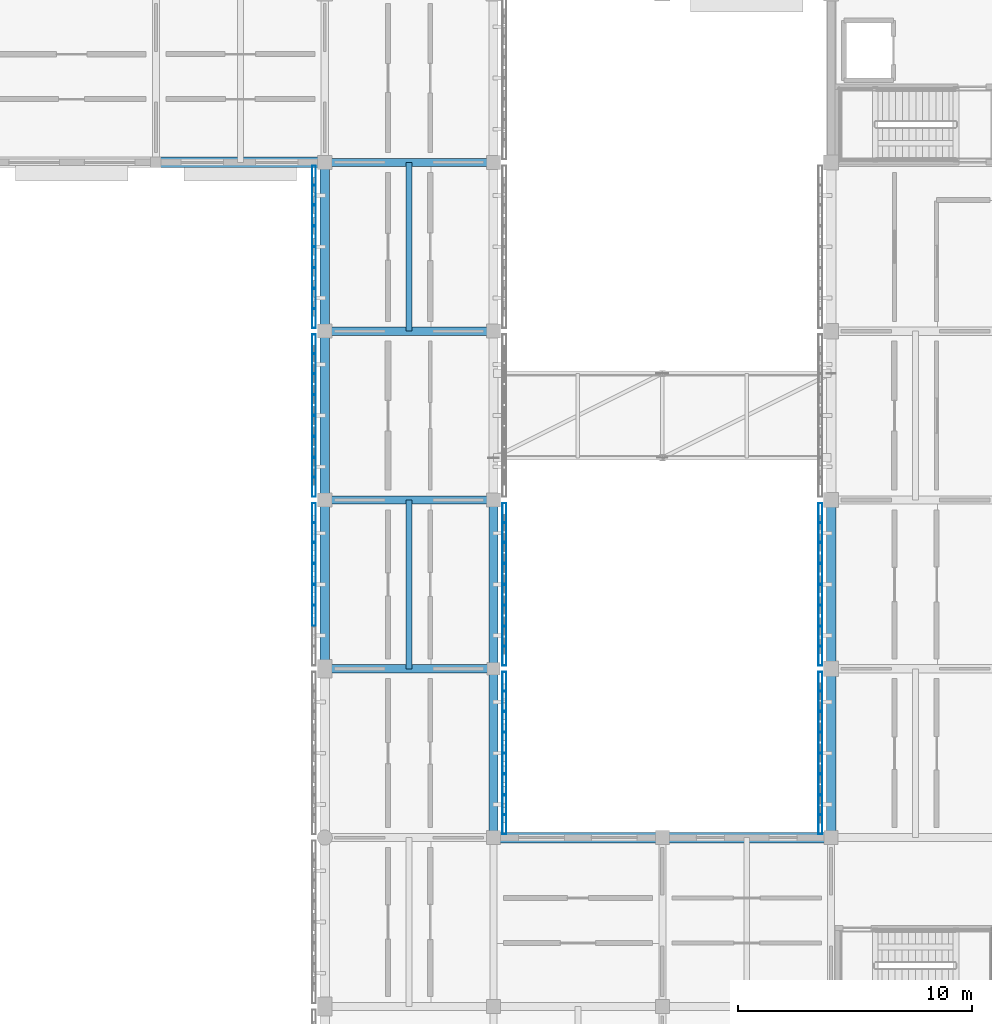
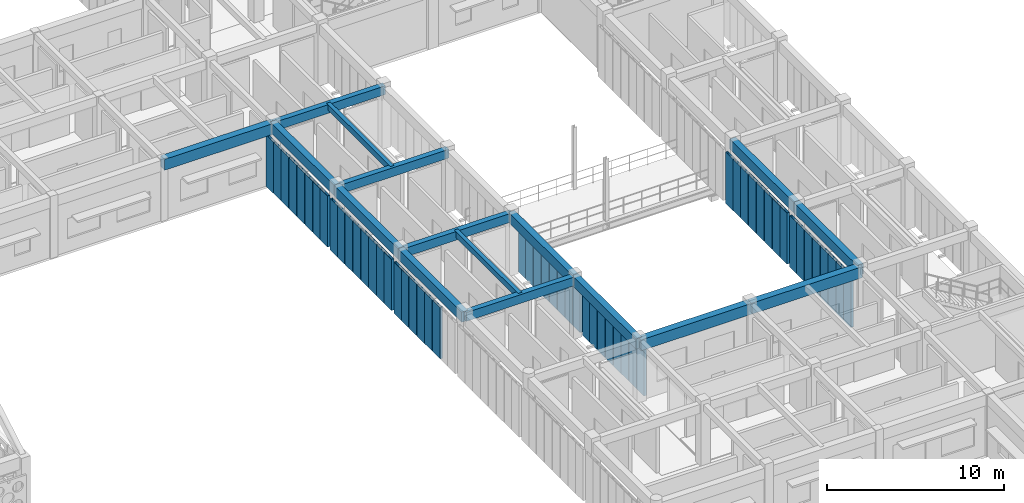
# One storey, part 65 of 171: 54 members, 16 beams, 7 elements without a shape of their own.
"""IFC4 building model written with IfcOpenShell, lengths in metres."""

from ifc_helpers import new_model, si_unit, direction, frame, origin, origin_2d, place, context, subcontext, project, spatial, rectangle, hollow_rectangle, extrude, material, material_profile, profile_set, type_object, element, aggregate, save


model = new_model("IFC4")

# Units and contexts
model_context = context("Model", 3, precision=1e-05, world=origin(), true_north=direction((0.0, 1.0)))
body_context = subcontext(model_context, "Body", "Model", "MODEL_VIEW")
ifc_project = project(units=[si_unit("LENGTHUNIT", "METRE"), si_unit("AREAUNIT", "SQUARE_METRE"), si_unit("VOLUMEUNIT", "CUBIC_METRE"), si_unit("PLANEANGLEUNIT", "RADIAN"), si_unit("MASSUNIT", "GRAM", prefix="KILO")], contexts=[model_context])

# Site, building, storey
site_placement = place(None, origin())
site = spatial("IfcSite", under=ifc_project, at=site_placement, CompositionType="ELEMENT")
building_placement = place(site_placement, origin())
building = spatial("IfcBuilding", under=site, at=building_placement, Name="Aldebral Square Health Centre", CompositionType="ELEMENT")
storey_placement = place(building_placement, frame((0.0, 0.0, 4.5)))
storey = spatial("IfcBuildingStorey", under=building, at=storey_placement, Name="L01", CompositionType="ELEMENT", Elevation=4.5)

# Beams
ifc_material_1 = material(Name="Concrete C40/50", Category="concrete")
ifc_material_profile_1 = material_profile(ifc_material_1, rectangle(XDim=0.35009765625, YDim=0.60009765625, at=origin_2d()), Name="RC 350x600")
ifc_profile_set_1 = profile_set([ifc_material_profile_1], Name="Concrete C40/50")
beam_type_1 = type_object("IfcBeamType", Name="BM-B2", PredefinedType="BEAM", material=ifc_profile_set_1)
for number, where, z_axis, x_axis, name in (
    (1, (136.800048828125, 72.0, 3.919921875), (1.0, 0.0, 0.0), (0.0, 1.0, 0.0), "L01 X-beam 20-21/G11"),
    (2, (136.800048828125, 79.199951171875, 3.919921875), (1.0, 0.0, 0.0), (0.0, 1.0, 0.0), "L01 X-beam 20-21/G12"),
    (3, (136.800048828125, 86.39990234375, 3.919921875), (1.0, 0.0, 0.0), (0.0, 1.0, 0.0), "L01 X-beam 20-21/G13"),
    (4, (136.800048828125, 93.60009765625, 3.919921875), (1.0, 0.0, 0.0), (0.0, 1.0, 0.0), "L01 X-beam 20-21/G14"),
):
    element("IfcBeam", number, at=place(storey_placement, frame(where, z_axis=z_axis, x_axis=x_axis)), inside=storey, type_object=beam_type_1, Name=name, PredefinedType="BEAM", context=body_context, shape_type="SweptSolid", body=[
        extrude(rectangle(XDim=0.35009765625, YDim=0.60009765625, at=origin_2d()), origin(), (0.0, 0.0, 1.0), 7.199951171875),
    ])
ifc_material_profile_2 = material_profile(ifc_material_1, rectangle(XDim=0.25, YDim=0.39990234375, at=origin_2d()), Name="RC 250x400")
ifc_profile_set_2 = profile_set([ifc_material_profile_2], Name="Concrete C40/50")
beam_type_2 = type_object("IfcBeamType", Name="BM-B6", PredefinedType="JOIST", material=ifc_profile_set_2)
beam_1_placement = place(storey_placement, frame((140.39990234375, 72.0, 4.02001953125), z_axis=(0.0, 1.0, 0.0), x_axis=(-1.0, 0.0, 0.0)))
element("IfcBeam", 5, at=beam_1_placement, inside=storey, type_object=beam_type_2, Name="L01 secondary rib 20.11", PredefinedType="JOIST", context=body_context, shape_type="SweptSolid", body=[
    extrude(rectangle(XDim=0.25, YDim=0.39990234375, at=origin_2d()), origin(), (0.0, 0.0, 1.0), 7.199951171875),
])
beam_2_placement = place(storey_placement, frame((140.39990234375, 86.39990234375, 4.02001953125), z_axis=(0.0, 1.0, 0.0), x_axis=(-1.0, 0.0, 0.0)))
element("IfcBeam", 6, at=beam_2_placement, inside=storey, type_object=beam_type_2, Name="L01 secondary rib 20.13", PredefinedType="JOIST", context=body_context, shape_type="SweptSolid", body=[
    extrude(rectangle(XDim=0.25, YDim=0.39990234375, at=origin_2d()), origin(), (0.0, 0.0, 1.0), 7.2001953125),
])
ifc_material_profile_3 = material_profile(ifc_material_1, rectangle(XDim=0.449951171875, YDim=0.75, at=origin_2d()), Name="RC 450x750")
ifc_profile_set_3 = profile_set([ifc_material_profile_3], Name="Concrete C40/50")
beam_type_3 = type_object("IfcBeamType", Name="BM-G2", PredefinedType="T_BEAM", material=ifc_profile_set_3)
for number, where, z_axis, x_axis, name in (
    (7, (129.60009765625, 93.60009765625, 3.844970703125), (1.0, 0.0, 0.0), (0.0, 1.0, 0.0), "L01 X-beam 19-20/G14"),
    (8, (144.0, 64.800048828125, 3.844970703125), (1.0, 0.0, 0.0), (0.0, 1.0, 0.0), "L01 X-beam 21-22/G10"),
    (9, (151.199951171875, 64.800048828125, 3.844970703125), (1.0, 0.0, 0.0), (0.0, 1.0, 0.0), "L01 X-beam 22-23/G10"),
):
    element("IfcBeam", number, at=place(storey_placement, frame(where, z_axis=z_axis, x_axis=x_axis)), inside=storey, type_object=beam_type_3, Name=name, PredefinedType="T_BEAM", context=body_context, shape_type="SweptSolid", body=[
        extrude(rectangle(XDim=0.449951171875, YDim=0.75, at=origin_2d()), origin(), (0.0, 0.0, 1.0), 7.199951171875),
    ])
ifc_material_profile_4 = material_profile(ifc_material_1, rectangle(XDim=0.39990234375, YDim=0.699951171875, at=origin_2d()), Name="RC 400x700")
ifc_profile_set_4 = profile_set([ifc_material_profile_4], Name="Concrete C40/50")
beam_type_4 = type_object("IfcBeamType", Name="BM-G3", PredefinedType="T_BEAM", material=ifc_profile_set_4)
for number, where, z_axis, x_axis, name in (
    (10, (136.800048828125, 72.0, 3.8701171875), (0.0, 1.0, 0.0), (-1.0, 0.0, 0.0), "L01 Y-beam G20/11-12"),
    (11, (136.800048828125, 79.199951171875, 3.8701171875), (0.0, 1.0, 0.0), (-1.0, 0.0, 0.0), "L01 Y-beam G20/12-13"),
):
    element("IfcBeam", number, at=place(storey_placement, frame(where, z_axis=z_axis, x_axis=x_axis)), inside=storey, type_object=beam_type_4, Name=name, PredefinedType="T_BEAM", context=body_context, shape_type="SweptSolid", body=[
        extrude(rectangle(XDim=0.39990234375, YDim=0.699951171875, at=origin_2d()), origin(), (0.0, 0.0, 1.0), 7.199951171875),
    ])
beam_3_placement = place(storey_placement, frame((136.800048828125, 86.39990234375, 3.8701171875), z_axis=(0.0, 1.0, 0.0), x_axis=(-1.0, 0.0, 0.0)))
element("IfcBeam", 12, at=beam_3_placement, inside=storey, type_object=beam_type_4, Name="L01 Y-beam G20/13-14", PredefinedType="T_BEAM", context=body_context, shape_type="SweptSolid", body=[
    extrude(rectangle(XDim=0.39990234375, YDim=0.699951171875, at=origin_2d()), origin(), (0.0, 0.0, 1.0), 7.2001953125),
])
for number, where, z_axis, x_axis, name in (
    (13, (144.0, 64.800048828125, 3.8701171875), (0.0, 1.0, 0.0), (-1.0, 0.0, 0.0), "L01 Y-beam G21/10-11"),
    (14, (144.0, 72.0, 3.8701171875), (0.0, 1.0, 0.0), (-1.0, 0.0, 0.0), "L01 Y-beam G21/11-12"),
    (15, (158.39990234375, 64.800048828125, 3.8701171875), (0.0, 1.0, 0.0), (-1.0, 0.0, 0.0), "L01 Y-beam G23/10-11"),
    (16, (158.39990234375, 72.0, 3.8701171875), (0.0, 1.0, 0.0), (-1.0, 0.0, 0.0), "L01 Y-beam G23/11-12"),
):
    element("IfcBeam", number, at=place(storey_placement, frame(where, z_axis=z_axis, x_axis=x_axis)), inside=storey, type_object=beam_type_4, Name=name, PredefinedType="T_BEAM", context=body_context, shape_type="SweptSolid", body=[
        extrude(rectangle(XDim=0.39990234375, YDim=0.699951171875, at=origin_2d()), origin(), (0.0, 0.0, 1.0), 7.199951171875),
    ])

# Curtain wall, members
ifc_material_2 = material(Name="Aluminium and low-E solar glass", Category="aluminium")
curtain_wall_type = type_object("IfcCurtainWallType", Name="CW-FIN-SYS", PredefinedType="USERDEFINED", material=ifc_material_2)
curtain_wall_1_placement = place(storey_placement, origin())
curtain_wall_1 = element("IfcCurtainWall", 17, at=curtain_wall_1_placement, inside=storey, type_object=curtain_wall_type, Name="L01 V5 finned curtain wall L01-V5-19-09-E", ObjectType="SOLAR_CURTAIN_WALL", PredefinedType="USERDEFINED")
ifc_material_3 = material(Name="Sienna-terracotta clad aluminium fin", Category="masonry")
ifc_material_profile_5 = material_profile(ifc_material_3, hollow_rectangle(XDim=0.159912109375, YDim=0.85009765625, WallThickness=0.006103515625, at=origin_2d()), Name="FIN 160x850x6")
ifc_profile_set_5 = profile_set([ifc_material_profile_5], Name="Sienna-terracotta clad aluminium fin")
member_type = type_object("IfcMemberType", Name="CWM-FIN", PredefinedType="MULLION", material=ifc_profile_set_5)
member_1_placement = place(storey_placement, frame((144.4599609375, 65.360107421875, 0.0), z_axis=(0.0, 0.0, 1.0), x_axis=(-1.0, 0.0, 0.0)))
member_1 = element("IfcMember", 18, at=member_1_placement, type_object=member_type, Name="CW1 mullion 1", PredefinedType="MULLION", context=body_context, shape_type="SweptSolid", body=[
    extrude(hollow_rectangle(XDim=0.159912109375, YDim=0.85009765625, WallThickness=0.006103515625, at=origin_2d()), origin(), (0.0, 0.0, 1.0), 3.52001953125),
])
member_2_placement = place(storey_placement, frame((144.4599609375, 66.17138671875, 0.0), z_axis=(0.0, 0.0, 1.0), x_axis=(-1.0, 0.0, 0.0)))
member_2 = element("IfcMember", 19, at=member_2_placement, type_object=member_type, Name="CW1 mullion 2", PredefinedType="MULLION", context=body_context, shape_type="SweptSolid", body=[
    extrude(hollow_rectangle(XDim=0.159912109375, YDim=0.85009765625, WallThickness=0.006103515625, at=origin_2d()), origin(), (0.0, 0.0, 1.0), 3.52001953125),
])
member_3_placement = place(storey_placement, frame((144.4599609375, 67.062744140625, 0.0), z_axis=(0.0, 0.0, 1.0), x_axis=(-1.0, 0.0, 0.0)))
member_3 = element("IfcMember", 20, at=member_3_placement, type_object=member_type, Name="CW1 mullion 3", PredefinedType="MULLION", context=body_context, shape_type="SweptSolid", body=[
    extrude(hollow_rectangle(XDim=0.159912109375, YDim=0.85009765625, WallThickness=0.006103515625, at=origin_2d()), origin(), (0.0, 0.0, 1.0), 3.52001953125),
])
member_4_placement = place(storey_placement, frame((144.4599609375, 67.954345703125, 0.0), z_axis=(0.0, 0.0, 1.0), x_axis=(-1.0, 0.0, 0.0)))
member_4 = element("IfcMember", 21, at=member_4_placement, type_object=member_type, Name="CW1 mullion 4", PredefinedType="MULLION", context=body_context, shape_type="SweptSolid", body=[
    extrude(hollow_rectangle(XDim=0.159912109375, YDim=0.85009765625, WallThickness=0.006103515625, at=origin_2d()), origin(), (0.0, 0.0, 1.0), 3.52001953125),
])
member_5_placement = place(storey_placement, frame((144.4599609375, 68.845703125, 0.0), z_axis=(0.0, 0.0, 1.0), x_axis=(-1.0, 0.0, 0.0)))
member_5 = element("IfcMember", 22, at=member_5_placement, type_object=member_type, Name="CW1 mullion 5", PredefinedType="MULLION", context=body_context, shape_type="SweptSolid", body=[
    extrude(hollow_rectangle(XDim=0.159912109375, YDim=0.85009765625, WallThickness=0.006103515625, at=origin_2d()), origin(), (0.0, 0.0, 1.0), 3.52001953125),
])
member_6_placement = place(storey_placement, frame((144.4599609375, 69.737060546875, 0.0), z_axis=(0.0, 0.0, 1.0), x_axis=(-1.0, 0.0, 0.0)))
member_6 = element("IfcMember", 23, at=member_6_placement, type_object=member_type, Name="CW1 mullion 6", PredefinedType="MULLION", context=body_context, shape_type="SweptSolid", body=[
    extrude(hollow_rectangle(XDim=0.159912109375, YDim=0.85009765625, WallThickness=0.006103515625, at=origin_2d()), origin(), (0.0, 0.0, 1.0), 3.52001953125),
])
member_7_placement = place(storey_placement, frame((144.4599609375, 70.628662109375, 0.0), z_axis=(0.0, 0.0, 1.0), x_axis=(-1.0, 0.0, 0.0)))
member_7 = element("IfcMember", 24, at=member_7_placement, type_object=member_type, Name="CW1 mullion 7", PredefinedType="MULLION", context=body_context, shape_type="SweptSolid", body=[
    extrude(hollow_rectangle(XDim=0.159912109375, YDim=0.85009765625, WallThickness=0.006103515625, at=origin_2d()), origin(), (0.0, 0.0, 1.0), 3.52001953125),
])
member_8_placement = place(storey_placement, frame((144.4599609375, 71.43994140625, 0.0), z_axis=(0.0, 0.0, 1.0), x_axis=(-1.0, 0.0, 0.0)))
member_8 = element("IfcMember", 25, at=member_8_placement, type_object=member_type, Name="CW1 mullion 8", PredefinedType="MULLION", context=body_context, shape_type="SweptSolid", body=[
    extrude(hollow_rectangle(XDim=0.159912109375, YDim=0.85009765625, WallThickness=0.006103515625, at=origin_2d()), origin(), (0.0, 0.0, 1.0), 3.52001953125),
])
aggregate(curtain_wall_1, [member_1, member_2, member_3, member_4, member_5, member_6, member_7, member_8])

curtain_wall_2_placement = place(storey_placement, origin())
curtain_wall_2 = element("IfcCurtainWall", 26, at=curtain_wall_2_placement, inside=storey, type_object=curtain_wall_type, Name="L01 V5 finned curtain wall L01-V5-19-10-W", ObjectType="SOLAR_CURTAIN_WALL", PredefinedType="USERDEFINED")
member_9_placement = place(storey_placement, frame((136.340087890625, 78.639892578125, 0.0), z_axis=(0.0, 0.0, 1.0), x_axis=(1.0, 0.0, 0.0)))
member_9 = element("IfcMember", 27, at=member_9_placement, type_object=member_type, Name="CW1 mullion 1", PredefinedType="MULLION", context=body_context, shape_type="SweptSolid", body=[
    extrude(hollow_rectangle(XDim=0.159912109375, YDim=0.85009765625, WallThickness=0.006103515625, at=origin_2d()), origin(), (0.0, 0.0, 1.0), 3.52001953125),
])
member_10_placement = place(storey_placement, frame((136.340087890625, 77.82861328125, 0.0), z_axis=(0.0, 0.0, 1.0), x_axis=(1.0, 0.0, 0.0)))
member_10 = element("IfcMember", 28, at=member_10_placement, type_object=member_type, Name="CW1 mullion 2", PredefinedType="MULLION", context=body_context, shape_type="SweptSolid", body=[
    extrude(hollow_rectangle(XDim=0.159912109375, YDim=0.85009765625, WallThickness=0.006103515625, at=origin_2d()), origin(), (0.0, 0.0, 1.0), 3.52001953125),
])
member_11_placement = place(storey_placement, frame((136.340087890625, 76.937255859375, 0.0), z_axis=(0.0, 0.0, 1.0), x_axis=(1.0, 0.0, 0.0)))
member_11 = element("IfcMember", 29, at=member_11_placement, type_object=member_type, Name="CW1 mullion 3", PredefinedType="MULLION", context=body_context, shape_type="SweptSolid", body=[
    extrude(hollow_rectangle(XDim=0.159912109375, YDim=0.85009765625, WallThickness=0.006103515625, at=origin_2d()), origin(), (0.0, 0.0, 1.0), 3.52001953125),
])
member_12_placement = place(storey_placement, frame((136.340087890625, 76.045654296875, 0.0), z_axis=(0.0, 0.0, 1.0), x_axis=(1.0, 0.0, 0.0)))
member_12 = element("IfcMember", 30, at=member_12_placement, type_object=member_type, Name="CW1 mullion 4", PredefinedType="MULLION", context=body_context, shape_type="SweptSolid", body=[
    extrude(hollow_rectangle(XDim=0.159912109375, YDim=0.85009765625, WallThickness=0.006103515625, at=origin_2d()), origin(), (0.0, 0.0, 1.0), 3.52001953125),
])
member_13_placement = place(storey_placement, frame((136.340087890625, 75.154296875, 0.0), z_axis=(0.0, 0.0, 1.0), x_axis=(1.0, 0.0, 0.0)))
member_13 = element("IfcMember", 31, at=member_13_placement, type_object=member_type, Name="CW1 mullion 5", PredefinedType="MULLION", context=body_context, shape_type="SweptSolid", body=[
    extrude(hollow_rectangle(XDim=0.159912109375, YDim=0.85009765625, WallThickness=0.006103515625, at=origin_2d()), origin(), (0.0, 0.0, 1.0), 3.52001953125),
])
member_14_placement = place(storey_placement, frame((136.340087890625, 74.262939453125, 0.0), z_axis=(0.0, 0.0, 1.0), x_axis=(1.0, 0.0, 0.0)))
member_14 = element("IfcMember", 32, at=member_14_placement, type_object=member_type, Name="CW1 mullion 6", PredefinedType="MULLION", context=body_context, shape_type="SweptSolid", body=[
    extrude(hollow_rectangle(XDim=0.159912109375, YDim=0.85009765625, WallThickness=0.006103515625, at=origin_2d()), origin(), (0.0, 0.0, 1.0), 3.52001953125),
])
aggregate(curtain_wall_2, [member_9, member_10, member_11, member_12, member_13, member_14])

curtain_wall_3_placement = place(storey_placement, origin())
curtain_wall_3 = element("IfcCurtainWall", 33, at=curtain_wall_3_placement, inside=storey, type_object=curtain_wall_type, Name="L01 V5 finned curtain wall L01-V5-19-10-E", ObjectType="SOLAR_CURTAIN_WALL", PredefinedType="USERDEFINED")
member_15_placement = place(storey_placement, frame((144.4599609375, 72.56005859375, 0.0), z_axis=(0.0, 0.0, 1.0), x_axis=(-1.0, 0.0, 0.0)))
member_15 = element("IfcMember", 34, at=member_15_placement, type_object=member_type, Name="CW1 mullion 1", PredefinedType="MULLION", context=body_context, shape_type="SweptSolid", body=[
    extrude(hollow_rectangle(XDim=0.159912109375, YDim=0.85009765625, WallThickness=0.006103515625, at=origin_2d()), origin(), (0.0, 0.0, 1.0), 3.52001953125),
])
member_16_placement = place(storey_placement, frame((144.4599609375, 73.371337890625, 0.0), z_axis=(0.0, 0.0, 1.0), x_axis=(-1.0, 0.0, 0.0)))
member_16 = element("IfcMember", 35, at=member_16_placement, type_object=member_type, Name="CW1 mullion 2", PredefinedType="MULLION", context=body_context, shape_type="SweptSolid", body=[
    extrude(hollow_rectangle(XDim=0.159912109375, YDim=0.85009765625, WallThickness=0.006103515625, at=origin_2d()), origin(), (0.0, 0.0, 1.0), 3.52001953125),
])
member_17_placement = place(storey_placement, frame((144.4599609375, 74.262939453125, 0.0), z_axis=(0.0, 0.0, 1.0), x_axis=(-1.0, 0.0, 0.0)))
member_17 = element("IfcMember", 36, at=member_17_placement, type_object=member_type, Name="CW1 mullion 3", PredefinedType="MULLION", context=body_context, shape_type="SweptSolid", body=[
    extrude(hollow_rectangle(XDim=0.159912109375, YDim=0.85009765625, WallThickness=0.006103515625, at=origin_2d()), origin(), (0.0, 0.0, 1.0), 3.52001953125),
])
member_18_placement = place(storey_placement, frame((144.4599609375, 75.154296875, 0.0), z_axis=(0.0, 0.0, 1.0), x_axis=(-1.0, 0.0, 0.0)))
member_18 = element("IfcMember", 37, at=member_18_placement, type_object=member_type, Name="CW1 mullion 4", PredefinedType="MULLION", context=body_context, shape_type="SweptSolid", body=[
    extrude(hollow_rectangle(XDim=0.159912109375, YDim=0.85009765625, WallThickness=0.006103515625, at=origin_2d()), origin(), (0.0, 0.0, 1.0), 3.52001953125),
])
member_19_placement = place(storey_placement, frame((144.4599609375, 76.045654296875, 0.0), z_axis=(0.0, 0.0, 1.0), x_axis=(-1.0, 0.0, 0.0)))
member_19 = element("IfcMember", 38, at=member_19_placement, type_object=member_type, Name="CW1 mullion 5", PredefinedType="MULLION", context=body_context, shape_type="SweptSolid", body=[
    extrude(hollow_rectangle(XDim=0.159912109375, YDim=0.85009765625, WallThickness=0.006103515625, at=origin_2d()), origin(), (0.0, 0.0, 1.0), 3.52001953125),
])
member_20_placement = place(storey_placement, frame((144.4599609375, 76.937255859375, 0.0), z_axis=(0.0, 0.0, 1.0), x_axis=(-1.0, 0.0, 0.0)))
member_20 = element("IfcMember", 39, at=member_20_placement, type_object=member_type, Name="CW1 mullion 6", PredefinedType="MULLION", context=body_context, shape_type="SweptSolid", body=[
    extrude(hollow_rectangle(XDim=0.159912109375, YDim=0.85009765625, WallThickness=0.006103515625, at=origin_2d()), origin(), (0.0, 0.0, 1.0), 3.52001953125),
])
member_21_placement = place(storey_placement, frame((144.4599609375, 77.82861328125, 0.0), z_axis=(0.0, 0.0, 1.0), x_axis=(-1.0, 0.0, 0.0)))
member_21 = element("IfcMember", 40, at=member_21_placement, type_object=member_type, Name="CW1 mullion 7", PredefinedType="MULLION", context=body_context, shape_type="SweptSolid", body=[
    extrude(hollow_rectangle(XDim=0.159912109375, YDim=0.85009765625, WallThickness=0.006103515625, at=origin_2d()), origin(), (0.0, 0.0, 1.0), 3.52001953125),
])
member_22_placement = place(storey_placement, frame((144.4599609375, 78.639892578125, 0.0), z_axis=(0.0, 0.0, 1.0), x_axis=(-1.0, 0.0, 0.0)))
member_22 = element("IfcMember", 41, at=member_22_placement, type_object=member_type, Name="CW1 mullion 8", PredefinedType="MULLION", context=body_context, shape_type="SweptSolid", body=[
    extrude(hollow_rectangle(XDim=0.159912109375, YDim=0.85009765625, WallThickness=0.006103515625, at=origin_2d()), origin(), (0.0, 0.0, 1.0), 3.52001953125),
])
aggregate(curtain_wall_3, [member_15, member_16, member_17, member_18, member_19, member_20, member_21, member_22])

curtain_wall_4_placement = place(storey_placement, origin())
curtain_wall_4 = element("IfcCurtainWall", 42, at=curtain_wall_4_placement, inside=storey, type_object=curtain_wall_type, Name="L01 V5 finned curtain wall L01-V5-19-11-W", ObjectType="SOLAR_CURTAIN_WALL", PredefinedType="USERDEFINED")
member_23_placement = place(storey_placement, frame((136.340087890625, 85.840087890625, 0.0), z_axis=(0.0, 0.0, 1.0), x_axis=(1.0, 0.0, 0.0)))
member_23 = element("IfcMember", 43, at=member_23_placement, type_object=member_type, Name="CW1 mullion 1", PredefinedType="MULLION", context=body_context, shape_type="SweptSolid", body=[
    extrude(hollow_rectangle(XDim=0.159912109375, YDim=0.85009765625, WallThickness=0.006103515625, at=origin_2d()), origin(), (0.0, 0.0, 1.0), 3.52001953125),
])
member_24_placement = place(storey_placement, frame((136.340087890625, 85.028564453125, 0.0), z_axis=(0.0, 0.0, 1.0), x_axis=(1.0, 0.0, 0.0)))
member_24 = element("IfcMember", 44, at=member_24_placement, type_object=member_type, Name="CW1 mullion 2", PredefinedType="MULLION", context=body_context, shape_type="SweptSolid", body=[
    extrude(hollow_rectangle(XDim=0.159912109375, YDim=0.85009765625, WallThickness=0.006103515625, at=origin_2d()), origin(), (0.0, 0.0, 1.0), 3.52001953125),
])
member_25_placement = place(storey_placement, frame((136.340087890625, 84.13720703125, 0.0), z_axis=(0.0, 0.0, 1.0), x_axis=(1.0, 0.0, 0.0)))
member_25 = element("IfcMember", 45, at=member_25_placement, type_object=member_type, Name="CW1 mullion 3", PredefinedType="MULLION", context=body_context, shape_type="SweptSolid", body=[
    extrude(hollow_rectangle(XDim=0.159912109375, YDim=0.85009765625, WallThickness=0.006103515625, at=origin_2d()), origin(), (0.0, 0.0, 1.0), 3.52001953125),
])
member_26_placement = place(storey_placement, frame((136.340087890625, 83.24560546875, 0.0), z_axis=(0.0, 0.0, 1.0), x_axis=(1.0, 0.0, 0.0)))
member_26 = element("IfcMember", 46, at=member_26_placement, type_object=member_type, Name="CW1 mullion 4", PredefinedType="MULLION", context=body_context, shape_type="SweptSolid", body=[
    extrude(hollow_rectangle(XDim=0.159912109375, YDim=0.85009765625, WallThickness=0.006103515625, at=origin_2d()), origin(), (0.0, 0.0, 1.0), 3.52001953125),
])
member_27_placement = place(storey_placement, frame((136.340087890625, 82.354248046875, 0.0), z_axis=(0.0, 0.0, 1.0), x_axis=(1.0, 0.0, 0.0)))
member_27 = element("IfcMember", 47, at=member_27_placement, type_object=member_type, Name="CW1 mullion 5", PredefinedType="MULLION", context=body_context, shape_type="SweptSolid", body=[
    extrude(hollow_rectangle(XDim=0.159912109375, YDim=0.85009765625, WallThickness=0.006103515625, at=origin_2d()), origin(), (0.0, 0.0, 1.0), 3.52001953125),
])
member_28_placement = place(storey_placement, frame((136.340087890625, 81.462890625, 0.0), z_axis=(0.0, 0.0, 1.0), x_axis=(1.0, 0.0, 0.0)))
member_28 = element("IfcMember", 48, at=member_28_placement, type_object=member_type, Name="CW1 mullion 6", PredefinedType="MULLION", context=body_context, shape_type="SweptSolid", body=[
    extrude(hollow_rectangle(XDim=0.159912109375, YDim=0.85009765625, WallThickness=0.006103515625, at=origin_2d()), origin(), (0.0, 0.0, 1.0), 3.52001953125),
])
member_29_placement = place(storey_placement, frame((136.340087890625, 80.571533203125, 0.0), z_axis=(0.0, 0.0, 1.0), x_axis=(1.0, 0.0, 0.0)))
member_29 = element("IfcMember", 49, at=member_29_placement, type_object=member_type, Name="CW1 mullion 7", PredefinedType="MULLION", context=body_context, shape_type="SweptSolid", body=[
    extrude(hollow_rectangle(XDim=0.159912109375, YDim=0.85009765625, WallThickness=0.006103515625, at=origin_2d()), origin(), (0.0, 0.0, 1.0), 3.52001953125),
])
member_30_placement = place(storey_placement, frame((136.340087890625, 79.760009765625, 0.0), z_axis=(0.0, 0.0, 1.0), x_axis=(1.0, 0.0, 0.0)))
member_30 = element("IfcMember", 50, at=member_30_placement, type_object=member_type, Name="CW1 mullion 8", PredefinedType="MULLION", context=body_context, shape_type="SweptSolid", body=[
    extrude(hollow_rectangle(XDim=0.159912109375, YDim=0.85009765625, WallThickness=0.006103515625, at=origin_2d()), origin(), (0.0, 0.0, 1.0), 3.52001953125),
])
aggregate(curtain_wall_4, [member_23, member_24, member_25, member_26, member_27, member_28, member_29, member_30])

curtain_wall_5_placement = place(storey_placement, origin())
curtain_wall_5 = element("IfcCurtainWall", 51, at=curtain_wall_5_placement, inside=storey, type_object=curtain_wall_type, Name="L01 V5 finned curtain wall L01-V5-19-12-W", ObjectType="SOLAR_CURTAIN_WALL", PredefinedType="USERDEFINED")
member_31_placement = place(storey_placement, frame((136.340087890625, 93.0400390625, 0.0), z_axis=(0.0, 0.0, 1.0), x_axis=(1.0, 0.0, 0.0)))
member_31 = element("IfcMember", 52, at=member_31_placement, type_object=member_type, Name="CW1 mullion 1", PredefinedType="MULLION", context=body_context, shape_type="SweptSolid", body=[
    extrude(hollow_rectangle(XDim=0.159912109375, YDim=0.85009765625, WallThickness=0.006103515625, at=origin_2d()), origin(), (0.0, 0.0, 1.0), 3.52001953125),
])
member_32_placement = place(storey_placement, frame((136.340087890625, 92.228515625, 0.0), z_axis=(0.0, 0.0, 1.0), x_axis=(1.0, 0.0, 0.0)))
member_32 = element("IfcMember", 53, at=member_32_placement, type_object=member_type, Name="CW1 mullion 2", PredefinedType="MULLION", context=body_context, shape_type="SweptSolid", body=[
    extrude(hollow_rectangle(XDim=0.159912109375, YDim=0.85009765625, WallThickness=0.006103515625, at=origin_2d()), origin(), (0.0, 0.0, 1.0), 3.52001953125),
])
member_33_placement = place(storey_placement, frame((136.340087890625, 91.337158203125, 0.0), z_axis=(0.0, 0.0, 1.0), x_axis=(1.0, 0.0, 0.0)))
member_33 = element("IfcMember", 54, at=member_33_placement, type_object=member_type, Name="CW1 mullion 3", PredefinedType="MULLION", context=body_context, shape_type="SweptSolid", body=[
    extrude(hollow_rectangle(XDim=0.159912109375, YDim=0.85009765625, WallThickness=0.006103515625, at=origin_2d()), origin(), (0.0, 0.0, 1.0), 3.52001953125),
])
member_34_placement = place(storey_placement, frame((136.340087890625, 90.44580078125, 0.0), z_axis=(0.0, 0.0, 1.0), x_axis=(1.0, 0.0, 0.0)))
member_34 = element("IfcMember", 55, at=member_34_placement, type_object=member_type, Name="CW1 mullion 4", PredefinedType="MULLION", context=body_context, shape_type="SweptSolid", body=[
    extrude(hollow_rectangle(XDim=0.159912109375, YDim=0.85009765625, WallThickness=0.006103515625, at=origin_2d()), origin(), (0.0, 0.0, 1.0), 3.52001953125),
])
member_35_placement = place(storey_placement, frame((136.340087890625, 89.55419921875, 0.0), z_axis=(0.0, 0.0, 1.0), x_axis=(1.0, 0.0, 0.0)))
member_35 = element("IfcMember", 56, at=member_35_placement, type_object=member_type, Name="CW1 mullion 5", PredefinedType="MULLION", context=body_context, shape_type="SweptSolid", body=[
    extrude(hollow_rectangle(XDim=0.159912109375, YDim=0.85009765625, WallThickness=0.006103515625, at=origin_2d()), origin(), (0.0, 0.0, 1.0), 3.52001953125),
])
member_36_placement = place(storey_placement, frame((136.340087890625, 88.662841796875, 0.0), z_axis=(0.0, 0.0, 1.0), x_axis=(1.0, 0.0, 0.0)))
member_36 = element("IfcMember", 57, at=member_36_placement, type_object=member_type, Name="CW1 mullion 6", PredefinedType="MULLION", context=body_context, shape_type="SweptSolid", body=[
    extrude(hollow_rectangle(XDim=0.159912109375, YDim=0.85009765625, WallThickness=0.006103515625, at=origin_2d()), origin(), (0.0, 0.0, 1.0), 3.52001953125),
])
member_37_placement = place(storey_placement, frame((136.340087890625, 87.771484375, 0.0), z_axis=(0.0, 0.0, 1.0), x_axis=(1.0, 0.0, 0.0)))
member_37 = element("IfcMember", 58, at=member_37_placement, type_object=member_type, Name="CW1 mullion 7", PredefinedType="MULLION", context=body_context, shape_type="SweptSolid", body=[
    extrude(hollow_rectangle(XDim=0.159912109375, YDim=0.85009765625, WallThickness=0.006103515625, at=origin_2d()), origin(), (0.0, 0.0, 1.0), 3.52001953125),
])
member_38_placement = place(storey_placement, frame((136.340087890625, 86.9599609375, 0.0), z_axis=(0.0, 0.0, 1.0), x_axis=(1.0, 0.0, 0.0)))
member_38 = element("IfcMember", 59, at=member_38_placement, type_object=member_type, Name="CW1 mullion 8", PredefinedType="MULLION", context=body_context, shape_type="SweptSolid", body=[
    extrude(hollow_rectangle(XDim=0.159912109375, YDim=0.85009765625, WallThickness=0.006103515625, at=origin_2d()), origin(), (0.0, 0.0, 1.0), 3.52001953125),
])
aggregate(curtain_wall_5, [member_31, member_32, member_33, member_34, member_35, member_36, member_37, member_38])

curtain_wall_6_placement = place(storey_placement, origin())
curtain_wall_6 = element("IfcCurtainWall", 60, at=curtain_wall_6_placement, inside=storey, type_object=curtain_wall_type, Name="L01 V5 finned curtain wall L01-V5-22-09-W", ObjectType="SOLAR_CURTAIN_WALL", PredefinedType="USERDEFINED")
member_39_placement = place(storey_placement, frame((157.93994140625, 71.43994140625, 0.0), z_axis=(0.0, 0.0, 1.0), x_axis=(1.0, 0.0, 0.0)))
member_39 = element("IfcMember", 61, at=member_39_placement, type_object=member_type, Name="CW1 mullion 1", PredefinedType="MULLION", context=body_context, shape_type="SweptSolid", body=[
    extrude(hollow_rectangle(XDim=0.159912109375, YDim=0.85009765625, WallThickness=0.006103515625, at=origin_2d()), origin(), (0.0, 0.0, 1.0), 3.52001953125),
])
member_40_placement = place(storey_placement, frame((157.93994140625, 70.628662109375, 0.0), z_axis=(0.0, 0.0, 1.0), x_axis=(1.0, 0.0, 0.0)))
member_40 = element("IfcMember", 62, at=member_40_placement, type_object=member_type, Name="CW1 mullion 2", PredefinedType="MULLION", context=body_context, shape_type="SweptSolid", body=[
    extrude(hollow_rectangle(XDim=0.159912109375, YDim=0.85009765625, WallThickness=0.006103515625, at=origin_2d()), origin(), (0.0, 0.0, 1.0), 3.52001953125),
])
member_41_placement = place(storey_placement, frame((157.93994140625, 69.737060546875, 0.0), z_axis=(0.0, 0.0, 1.0), x_axis=(1.0, 0.0, 0.0)))
member_41 = element("IfcMember", 63, at=member_41_placement, type_object=member_type, Name="CW1 mullion 3", PredefinedType="MULLION", context=body_context, shape_type="SweptSolid", body=[
    extrude(hollow_rectangle(XDim=0.159912109375, YDim=0.85009765625, WallThickness=0.006103515625, at=origin_2d()), origin(), (0.0, 0.0, 1.0), 3.52001953125),
])
member_42_placement = place(storey_placement, frame((157.93994140625, 68.845703125, 0.0), z_axis=(0.0, 0.0, 1.0), x_axis=(1.0, 0.0, 0.0)))
member_42 = element("IfcMember", 64, at=member_42_placement, type_object=member_type, Name="CW1 mullion 4", PredefinedType="MULLION", context=body_context, shape_type="SweptSolid", body=[
    extrude(hollow_rectangle(XDim=0.159912109375, YDim=0.85009765625, WallThickness=0.006103515625, at=origin_2d()), origin(), (0.0, 0.0, 1.0), 3.52001953125),
])
member_43_placement = place(storey_placement, frame((157.93994140625, 67.954345703125, 0.0), z_axis=(0.0, 0.0, 1.0), x_axis=(1.0, 0.0, 0.0)))
member_43 = element("IfcMember", 65, at=member_43_placement, type_object=member_type, Name="CW1 mullion 5", PredefinedType="MULLION", context=body_context, shape_type="SweptSolid", body=[
    extrude(hollow_rectangle(XDim=0.159912109375, YDim=0.85009765625, WallThickness=0.006103515625, at=origin_2d()), origin(), (0.0, 0.0, 1.0), 3.52001953125),
])
member_44_placement = place(storey_placement, frame((157.93994140625, 67.062744140625, 0.0), z_axis=(0.0, 0.0, 1.0), x_axis=(1.0, 0.0, 0.0)))
member_44 = element("IfcMember", 66, at=member_44_placement, type_object=member_type, Name="CW1 mullion 6", PredefinedType="MULLION", context=body_context, shape_type="SweptSolid", body=[
    extrude(hollow_rectangle(XDim=0.159912109375, YDim=0.85009765625, WallThickness=0.006103515625, at=origin_2d()), origin(), (0.0, 0.0, 1.0), 3.52001953125),
])
member_45_placement = place(storey_placement, frame((157.93994140625, 66.17138671875, 0.0), z_axis=(0.0, 0.0, 1.0), x_axis=(1.0, 0.0, 0.0)))
member_45 = element("IfcMember", 67, at=member_45_placement, type_object=member_type, Name="CW1 mullion 7", PredefinedType="MULLION", context=body_context, shape_type="SweptSolid", body=[
    extrude(hollow_rectangle(XDim=0.159912109375, YDim=0.85009765625, WallThickness=0.006103515625, at=origin_2d()), origin(), (0.0, 0.0, 1.0), 3.52001953125),
])
member_46_placement = place(storey_placement, frame((157.93994140625, 65.360107421875, 0.0), z_axis=(0.0, 0.0, 1.0), x_axis=(1.0, 0.0, 0.0)))
member_46 = element("IfcMember", 68, at=member_46_placement, type_object=member_type, Name="CW1 mullion 8", PredefinedType="MULLION", context=body_context, shape_type="SweptSolid", body=[
    extrude(hollow_rectangle(XDim=0.159912109375, YDim=0.85009765625, WallThickness=0.006103515625, at=origin_2d()), origin(), (0.0, 0.0, 1.0), 3.52001953125),
])
aggregate(curtain_wall_6, [member_39, member_40, member_41, member_42, member_43, member_44, member_45, member_46])

curtain_wall_7_placement = place(storey_placement, origin())
curtain_wall_7 = element("IfcCurtainWall", 69, at=curtain_wall_7_placement, inside=storey, type_object=curtain_wall_type, Name="L01 V5 finned curtain wall L01-V5-22-10-W", ObjectType="SOLAR_CURTAIN_WALL", PredefinedType="USERDEFINED")
member_47_placement = place(storey_placement, frame((157.93994140625, 78.639892578125, 0.0), z_axis=(0.0, 0.0, 1.0), x_axis=(1.0, 0.0, 0.0)))
member_47 = element("IfcMember", 70, at=member_47_placement, type_object=member_type, Name="CW1 mullion 1", PredefinedType="MULLION", context=body_context, shape_type="SweptSolid", body=[
    extrude(hollow_rectangle(XDim=0.159912109375, YDim=0.85009765625, WallThickness=0.006103515625, at=origin_2d()), origin(), (0.0, 0.0, 1.0), 3.52001953125),
])
member_48_placement = place(storey_placement, frame((157.93994140625, 77.82861328125, 0.0), z_axis=(0.0, 0.0, 1.0), x_axis=(1.0, 0.0, 0.0)))
member_48 = element("IfcMember", 71, at=member_48_placement, type_object=member_type, Name="CW1 mullion 2", PredefinedType="MULLION", context=body_context, shape_type="SweptSolid", body=[
    extrude(hollow_rectangle(XDim=0.159912109375, YDim=0.85009765625, WallThickness=0.006103515625, at=origin_2d()), origin(), (0.0, 0.0, 1.0), 3.52001953125),
])
member_49_placement = place(storey_placement, frame((157.93994140625, 76.937255859375, 0.0), z_axis=(0.0, 0.0, 1.0), x_axis=(1.0, 0.0, 0.0)))
member_49 = element("IfcMember", 72, at=member_49_placement, type_object=member_type, Name="CW1 mullion 3", PredefinedType="MULLION", context=body_context, shape_type="SweptSolid", body=[
    extrude(hollow_rectangle(XDim=0.159912109375, YDim=0.85009765625, WallThickness=0.006103515625, at=origin_2d()), origin(), (0.0, 0.0, 1.0), 3.52001953125),
])
member_50_placement = place(storey_placement, frame((157.93994140625, 76.045654296875, 0.0), z_axis=(0.0, 0.0, 1.0), x_axis=(1.0, 0.0, 0.0)))
member_50 = element("IfcMember", 73, at=member_50_placement, type_object=member_type, Name="CW1 mullion 4", PredefinedType="MULLION", context=body_context, shape_type="SweptSolid", body=[
    extrude(hollow_rectangle(XDim=0.159912109375, YDim=0.85009765625, WallThickness=0.006103515625, at=origin_2d()), origin(), (0.0, 0.0, 1.0), 3.52001953125),
])
member_51_placement = place(storey_placement, frame((157.93994140625, 75.154296875, 0.0), z_axis=(0.0, 0.0, 1.0), x_axis=(1.0, 0.0, 0.0)))
member_51 = element("IfcMember", 74, at=member_51_placement, type_object=member_type, Name="CW1 mullion 5", PredefinedType="MULLION", context=body_context, shape_type="SweptSolid", body=[
    extrude(hollow_rectangle(XDim=0.159912109375, YDim=0.85009765625, WallThickness=0.006103515625, at=origin_2d()), origin(), (0.0, 0.0, 1.0), 3.52001953125),
])
member_52_placement = place(storey_placement, frame((157.93994140625, 74.262939453125, 0.0), z_axis=(0.0, 0.0, 1.0), x_axis=(1.0, 0.0, 0.0)))
member_52 = element("IfcMember", 75, at=member_52_placement, type_object=member_type, Name="CW1 mullion 6", PredefinedType="MULLION", context=body_context, shape_type="SweptSolid", body=[
    extrude(hollow_rectangle(XDim=0.159912109375, YDim=0.85009765625, WallThickness=0.006103515625, at=origin_2d()), origin(), (0.0, 0.0, 1.0), 3.52001953125),
])
member_53_placement = place(storey_placement, frame((157.93994140625, 73.371337890625, 0.0), z_axis=(0.0, 0.0, 1.0), x_axis=(1.0, 0.0, 0.0)))
member_53 = element("IfcMember", 76, at=member_53_placement, type_object=member_type, Name="CW1 mullion 7", PredefinedType="MULLION", context=body_context, shape_type="SweptSolid", body=[
    extrude(hollow_rectangle(XDim=0.159912109375, YDim=0.85009765625, WallThickness=0.006103515625, at=origin_2d()), origin(), (0.0, 0.0, 1.0), 3.52001953125),
])
member_54_placement = place(storey_placement, frame((157.93994140625, 72.56005859375, 0.0), z_axis=(0.0, 0.0, 1.0), x_axis=(1.0, 0.0, 0.0)))
member_54 = element("IfcMember", 77, at=member_54_placement, type_object=member_type, Name="CW1 mullion 8", PredefinedType="MULLION", context=body_context, shape_type="SweptSolid", body=[
    extrude(hollow_rectangle(XDim=0.159912109375, YDim=0.85009765625, WallThickness=0.006103515625, at=origin_2d()), origin(), (0.0, 0.0, 1.0), 3.52001953125),
])
aggregate(curtain_wall_7, [member_47, member_48, member_49, member_50, member_51, member_52, member_53, member_54])

save(model, "model.ifc")
